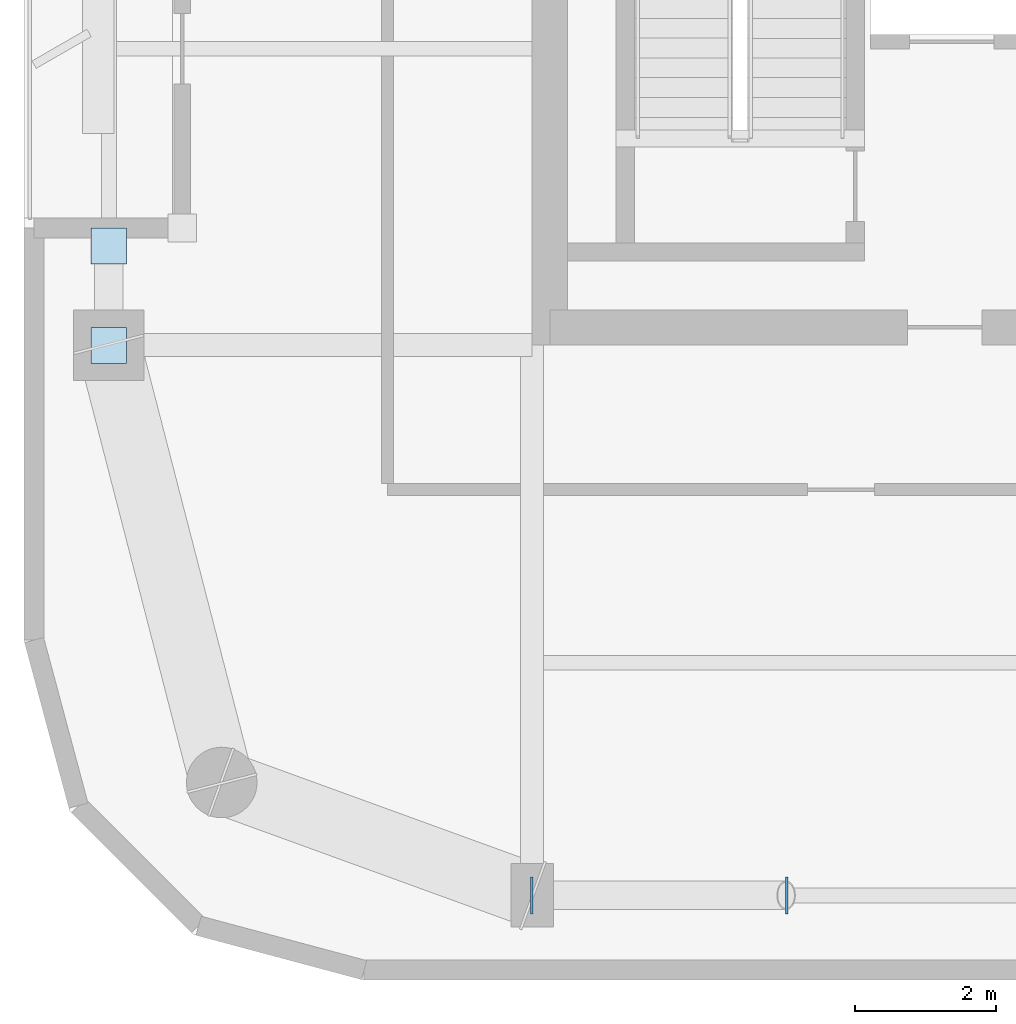
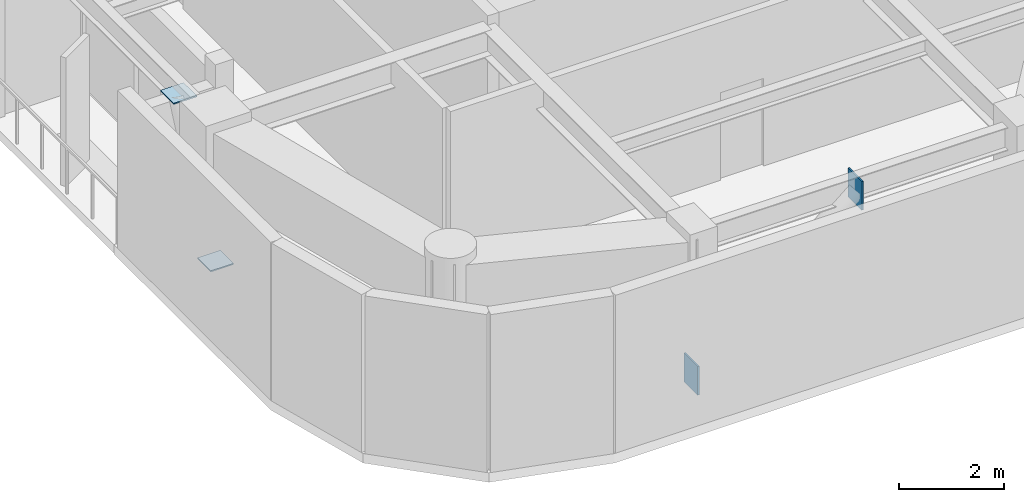
# One storey, part 8 of 15: 4 plates.
"""IFC4 building model written with IfcOpenShell, lengths in metres."""

from ifc_helpers import new_model, si_unit, direction, frame, origin, origin_2d, place, context, subcontext, project, spatial, rectangle, extrude, material, layer, layer_set, type_object, element, save


model = new_model("IFC4")

# Units and contexts
model_context = context("Model", 3, precision=1e-05, world=origin(), true_north=direction((0.0, 1.0)))
body_context = subcontext(model_context, "Body", "Model", "MODEL_VIEW")
ifc_project = project(units=[si_unit("LENGTHUNIT", "METRE"), si_unit("AREAUNIT", "SQUARE_METRE"), si_unit("VOLUMEUNIT", "CUBIC_METRE"), si_unit("PLANEANGLEUNIT", "RADIAN"), si_unit("MASSUNIT", "GRAM", prefix="KILO")], contexts=[model_context])

# Site, building, storey
site_placement = place(None, origin())
site = spatial("IfcSite", under=ifc_project, at=site_placement, CompositionType="ELEMENT")
building_placement = place(site_placement, origin())
building = spatial("IfcBuilding", under=site, at=building_placement, Name="Kiyonajd Concourse Tower", CompositionType="ELEMENT")
storey_placement = place(building_placement, frame((0.0, 0.0, 274.5)))
storey = spatial("IfcBuildingStorey", under=building, at=storey_placement, Name="L69", CompositionType="ELEMENT", Elevation=274.5)

# Plates
ifc_material = material(Name="Steel ASTM A572 Grade 50", Category="steel")
ifc_layer = layer(ifc_material, 0.028076171875)
ifc_layer_set = layer_set([ifc_layer], Name="Steel ASTM A572 Grade 50")
plate_type = type_object("IfcPlateType", Name="PL-CAP-450", PredefinedType="USERDEFINED", material=ifc_layer_set)
for number, where, z_axis, x_axis, name in (
    (1, (32.3916015625, 19.800048828125, -0.04248046875), (0.0, 0.0, 1.0), (-1.0, 0.0, 0.0), "L69 Hollow Brace End Cap Plate PBS"),
    (2, (36.00830078125, 19.800048828125, 3.001708984375), (0.0, 0.0, 1.0), (1.0, 0.0, 0.0), "L69 Hollow Brace Top Cap Plate PBS"),
):
    element("IfcPlate", number, at=place(storey_placement, frame(where, z_axis=z_axis, x_axis=x_axis)), inside=storey, type_object=plate_type, Name=name, ObjectType="CAP PLATE", PredefinedType="USERDEFINED", context=body_context, shape_type="SweptSolid", body=[
        extrude(rectangle(XDim=0.035888671875, YDim=0.52587890625, at=origin_2d()), origin(), (0.0, 0.0, 1.0), 0.6708984375),
    ])
for number, where, z_axis, x_axis, name in (
    (3, (26.39990234375, 27.595458984375, 0.27587890625), (0.0, 0.0, 1.0), (1.0, 0.0, 0.0), "L69 Hollow Brace End Cap Plate PBW"),
    (4, (26.39990234375, 29.004638671875, 3.326171875), (0.0, 0.0, 1.0), (1.0, 0.0, 0.0), "L69 Hollow Brace Top Cap Plate PBW"),
):
    element("IfcPlate", number, at=place(storey_placement, frame(where, z_axis=z_axis, x_axis=x_axis)), inside=storey, type_object=plate_type, Name=name, ObjectType="CAP PLATE", PredefinedType="USERDEFINED", context=body_context, shape_type="SweptSolid", body=[
        extrude(rectangle(XDim=0.506103515625, YDim=0.506103515625, at=origin_2d()), origin(), (0.0, 0.0, 1.0), 0.028076171875),
    ])

save(model, "model.ifc")
